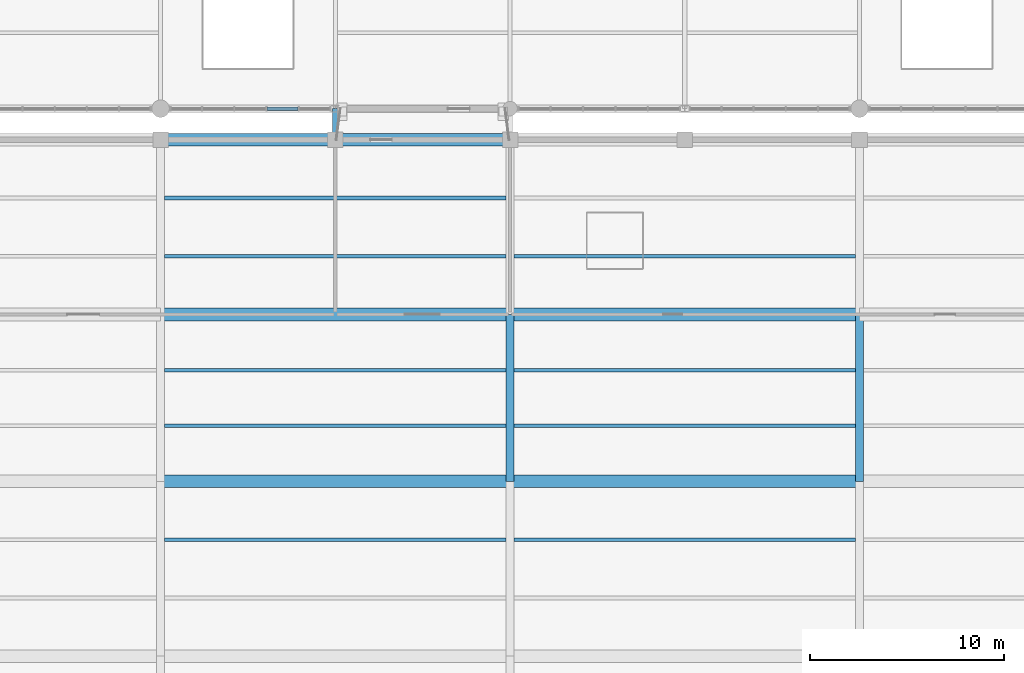
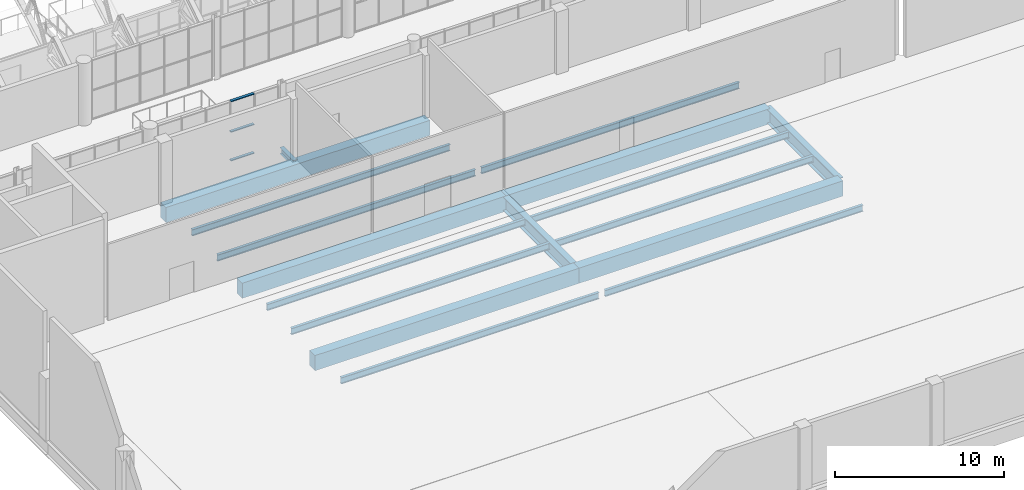
# One storey, part 38 of 134: 17 beams, 3 members, 1 element without a shape of its own.
"""IFC4 building model written with IfcOpenShell, lengths in metres."""

from ifc_helpers import new_model, si_unit, direction, frame, origin, origin_2d, place, context, subcontext, project, spatial, rectangle, i_section, extrude, material, layer, layer_set, material_profile, profile_set, type_object, element, aggregate, save


model = new_model("IFC4")

# Units and contexts
model_context = context("Model", 3, precision=1e-05, world=origin(), true_north=direction((0.0, 1.0)))
body_context = subcontext(model_context, "Body", "Model", "MODEL_VIEW")
ifc_project = project(units=[si_unit("LENGTHUNIT", "METRE"), si_unit("AREAUNIT", "SQUARE_METRE"), si_unit("VOLUMEUNIT", "CUBIC_METRE"), si_unit("PLANEANGLEUNIT", "RADIAN"), si_unit("MASSUNIT", "GRAM", prefix="KILO")], contexts=[model_context])

# Site, building, storey
site_placement = place(None, origin())
site = spatial("IfcSite", under=ifc_project, at=site_placement, CompositionType="ELEMENT")
building_placement = place(site_placement, origin())
building = spatial("IfcBuilding", under=site, at=building_placement, Name="Cazmaro Siding Exhibition Halls", CompositionType="ELEMENT")
storey_placement = place(building_placement, frame((0.0, 0.0, 12.0)))
storey = spatial("IfcBuildingStorey", under=building, at=storey_placement, Name="L02", CompositionType="ELEMENT", Elevation=12.0)

# Beam
ifc_material_1 = material(Name="Steel ASTM A992 Grade 50", Category="steel")
ifc_material_profile_1 = material_profile(ifc_material_1, i_section(OverallWidth=0.279052734375, OverallDepth=0.4619140625, WebThickness=0.010986328125, FlangeThickness=0.01708984375, at=origin_2d()), Name="W18X76")
ifc_profile_set_1 = profile_set([ifc_material_profile_1], Name="Steel ASTM A992 Grade 50")
beam_type_1 = type_object("IfcBeamType", Name="B-03", PredefinedType="BEAM", material=ifc_profile_set_1)
beam_placement = place(storey_placement, frame((99.0, 53.60009765625, -0.450927734375), z_axis=(0.0, 1.0, 0.0), x_axis=(-1.0, 0.0, 0.0)))
element("IfcBeam", 1, at=beam_placement, inside=storey, type_object=beam_type_1, Name="Beam B-03 BM-2528", PredefinedType="BEAM", context=body_context, shape_type="SweptSolid", body=[
    extrude(i_section(OverallWidth=0.279052734375, OverallDepth=0.4619140625, WebThickness=0.010986328125, FlangeThickness=0.01708984375, at=origin_2d()), origin(), (0.0, 0.0, 1.0), 1.599853515625),
])

# Curtain wall, members
ifc_material_2 = material(Name="Anodized Bronze Aluminum and Solar-Control Low-E Glazing", Category="aluminium")
ifc_layer = layer(ifc_material_2, 0.199951171875)
ifc_layer_set = layer_set([ifc_layer], Name="Anodized Bronze Aluminum and Solar-Control Low-E Glazing")
curtain_wall_type = type_object("IfcCurtainWallType", Name="CWS-02", PredefinedType="USERDEFINED", material=ifc_layer_set)
curtain_wall_placement = place(storey_placement, origin())
curtain_wall = element("IfcCurtainWall", 2, at=curtain_wall_placement, inside=storey, type_object=curtain_wall_type, Name="Glazed Curtain Wall CWS-02 CW-173", ObjectType="GLAZED CURTAIN WALL", PredefinedType="USERDEFINED")
ifc_material_3 = material(Name="Anodized Bronze Extruded Aluminum", Category="aluminium")
ifc_material_profile_2 = material_profile(ifc_material_3, rectangle(XDim=0.179931640625, YDim=0.06494140625, at=origin_2d()), Name="CWT-02")
ifc_profile_set_2 = profile_set([ifc_material_profile_2], Name="Anodized Bronze Extruded Aluminum")
member_type = type_object("IfcMemberType", Name="CWT-02", PredefinedType="MULLION", material=ifc_profile_set_2)
member_1_placement = place(storey_placement, frame((95.48779296875, 55.199951171875, 0.032470703125), z_axis=(1.0, 0.0, 0.0), x_axis=(0.0, 1.0, 0.0)))
member_1 = element("IfcMember", 3, at=member_1_placement, type_object=member_type, Name="CWS-02 transom 4.1", ObjectType="TRANSOM", PredefinedType="USERDEFINED", context=body_context, shape_type="SweptSolid", body=[
    extrude(rectangle(XDim=0.179931640625, YDim=0.06494140625, at=origin_2d()), origin(), (0.0, 0.0, 1.0), 1.59228515625),
])
member_2_placement = place(storey_placement, frame((95.48779296875, 55.199951171875, 2.10009765625), z_axis=(1.0, 0.0, 0.0), x_axis=(0.0, 1.0, 0.0)))
member_2 = element("IfcMember", 4, at=member_2_placement, type_object=member_type, Name="CWS-02 transom 4.2", ObjectType="TRANSOM", PredefinedType="USERDEFINED", context=body_context, shape_type="SweptSolid", body=[
    extrude(rectangle(XDim=0.179931640625, YDim=0.06494140625, at=origin_2d()), origin(), (0.0, 0.0, 1.0), 1.59228515625),
])
member_3_placement = place(storey_placement, frame((95.48779296875, 55.199951171875, 4.29248046875), z_axis=(1.0, 0.0, 0.0), x_axis=(0.0, 1.0, 0.0)))
member_3 = element("IfcMember", 5, at=member_3_placement, type_object=member_type, Name="CWS-02 transom 4.3", ObjectType="TRANSOM", PredefinedType="USERDEFINED", context=body_context, shape_type="SweptSolid", body=[
    extrude(rectangle(XDim=0.179931640625, YDim=0.06494140625, at=origin_2d()), origin(), (0.0, 0.0, 1.0), 1.59228515625),
])
aggregate(curtain_wall, [member_1, member_2, member_3])

# Beams
ifc_material_4 = material(Name="Steel ASTM A992 Grade 50", Category="steel")
ifc_material_profile_3 = material_profile(ifc_material_4, i_section(OverallWidth=0.404052734375, OverallDepth=1.02099609375, WebThickness=0.02490234375, FlangeThickness=0.0458984375, at=origin_2d()), Name="W40X324")
ifc_profile_set_3 = profile_set([ifc_material_profile_3], Name="Steel ASTM A992 Grade 50")
beam_type_2 = type_object("IfcBeamType", Name="G-06", PredefinedType="USERDEFINED", material=ifc_profile_set_3)
for number, where, z_axis, x_axis, name in (
    (6, (108.0, 36.0, -0.81103515625), (0.0, 1.0, 0.0), (-1.0, 0.0, 0.0), "Beam G-06 BM-1449"),
    (7, (126.0, 36.0, -0.81103515625), (0.0, 1.0, 0.0), (-1.0, 0.0, 0.0), "Beam G-06 BM-1454"),
):
    element("IfcBeam", number, at=place(storey_placement, frame(where, z_axis=z_axis, x_axis=x_axis)), inside=storey, type_object=beam_type_2, Name=name, ObjectType="GIRDER", PredefinedType="USERDEFINED", context=body_context, shape_type="SweptSolid", body=[
        extrude(i_section(OverallWidth=0.404052734375, OverallDepth=1.02099609375, WebThickness=0.02490234375, FlangeThickness=0.0458984375, at=origin_2d()), origin(), (0.0, 0.0, 1.0), 8.60009765625),
    ])
ifc_material_5 = material(Name="Concrete f'c 45 MPa", Category="concrete")
ifc_material_profile_4 = material_profile(ifc_material_5, rectangle(XDim=0.64990234375, YDim=1.10009765625, at=origin_2d()), Name="RC1100X650")
ifc_profile_set_4 = profile_set([ifc_material_profile_4], Name="Concrete f'c 45 MPa")
beam_type_3 = type_object("IfcBeamType", Name="G-08", PredefinedType="USERDEFINED", material=ifc_profile_set_4)
for number, where, z_axis, x_axis, name in (
    (8, (90.0, 36.0, -0.85009765625), (1.0, 0.0, 0.0), (0.0, 1.0, 0.0), "Beam G-08 BM-1330"),
    (9, (90.0, 44.60009765625, -0.85009765625), (1.0, 0.0, 0.0), (0.0, 1.0, 0.0), "Beam G-08 BM-1331"),
    (10, (90.0, 53.60009765625, -0.85009765625), (1.0, 0.0, 0.0), (0.0, 1.0, 0.0), "Beam G-08 BM-1332"),
    (11, (108.0, 36.0, -0.85009765625), (1.0, 0.0, 0.0), (0.0, 1.0, 0.0), "Beam G-08 BM-1346"),
    (12, (108.0, 44.60009765625, -0.85009765625), (1.0, 0.0, 0.0), (0.0, 1.0, 0.0), "Beam G-08 BM-1347"),
):
    element("IfcBeam", number, at=place(storey_placement, frame(where, z_axis=z_axis, x_axis=x_axis)), inside=storey, type_object=beam_type_3, Name=name, ObjectType="GIRDER", PredefinedType="USERDEFINED", context=body_context, shape_type="SweptSolid", body=[
        extrude(rectangle(XDim=0.64990234375, YDim=1.10009765625, at=origin_2d()), origin(), (0.0, 0.0, 1.0), 18.0),
    ])
ifc_material_6 = material(Name="Steel ASTM A992 Grade 50", Category="steel")
ifc_material_profile_5 = material_profile(ifc_material_6, i_section(OverallWidth=0.19091796875, OverallDepth=0.45703125, WebThickness=0.009033203125, FlangeThickness=0.013916015625, at=origin_2d()), Name="W18X50")
ifc_profile_set_5 = profile_set([ifc_material_profile_5], Name="Steel ASTM A992 Grade 50")
beam_type_4 = type_object("IfcBeamType", Name="J-01", PredefinedType="JOIST", material=ifc_profile_set_5)
for number, where, z_axis, x_axis, name in (
    (13, (90.201904296875, 33.0, -0.529052734375), (1.0, 0.0, 0.0), (0.0, 1.0, 0.0), "Beam J-01 BM-1338"),
    (14, (90.201904296875, 38.866943359375, -0.529052734375), (1.0, 0.0, 0.0), (0.0, 1.0, 0.0), "Beam J-01 BM-1339"),
    (15, (90.201904296875, 41.73291015625, -0.529052734375), (1.0, 0.0, 0.0), (0.0, 1.0, 0.0), "Beam J-01 BM-1340"),
    (16, (90.201904296875, 47.60009765625, -0.529052734375), (1.0, 0.0, 0.0), (0.0, 1.0, 0.0), "Beam J-01 BM-1341"),
    (17, (90.201904296875, 50.60009765625, -0.529052734375), (1.0, 0.0, 0.0), (0.0, 1.0, 0.0), "Beam J-01 BM-1342"),
    (18, (108.201904296875, 33.0, -0.529052734375), (1.0, 0.0, 0.0), (0.0, 1.0, 0.0), "Beam J-01 BM-1354"),
    (19, (108.201904296875, 38.866943359375, -0.529052734375), (1.0, 0.0, 0.0), (0.0, 1.0, 0.0), "Beam J-01 BM-1355"),
    (20, (108.201904296875, 41.73291015625, -0.529052734375), (1.0, 0.0, 0.0), (0.0, 1.0, 0.0), "Beam J-01 BM-1356"),
    (21, (108.201904296875, 47.60009765625, -0.529052734375), (1.0, 0.0, 0.0), (0.0, 1.0, 0.0), "Beam J-01 BM-1357"),
):
    element("IfcBeam", number, at=place(storey_placement, frame(where, z_axis=z_axis, x_axis=x_axis)), inside=storey, type_object=beam_type_4, Name=name, PredefinedType="JOIST", context=body_context, shape_type="SweptSolid", body=[
        extrude(i_section(OverallWidth=0.19091796875, OverallDepth=0.45703125, WebThickness=0.009033203125, FlangeThickness=0.013916015625, at=origin_2d()), origin(), (0.0, 0.0, 1.0), 17.59619140625),
    ])

save(model, "model.ifc")
